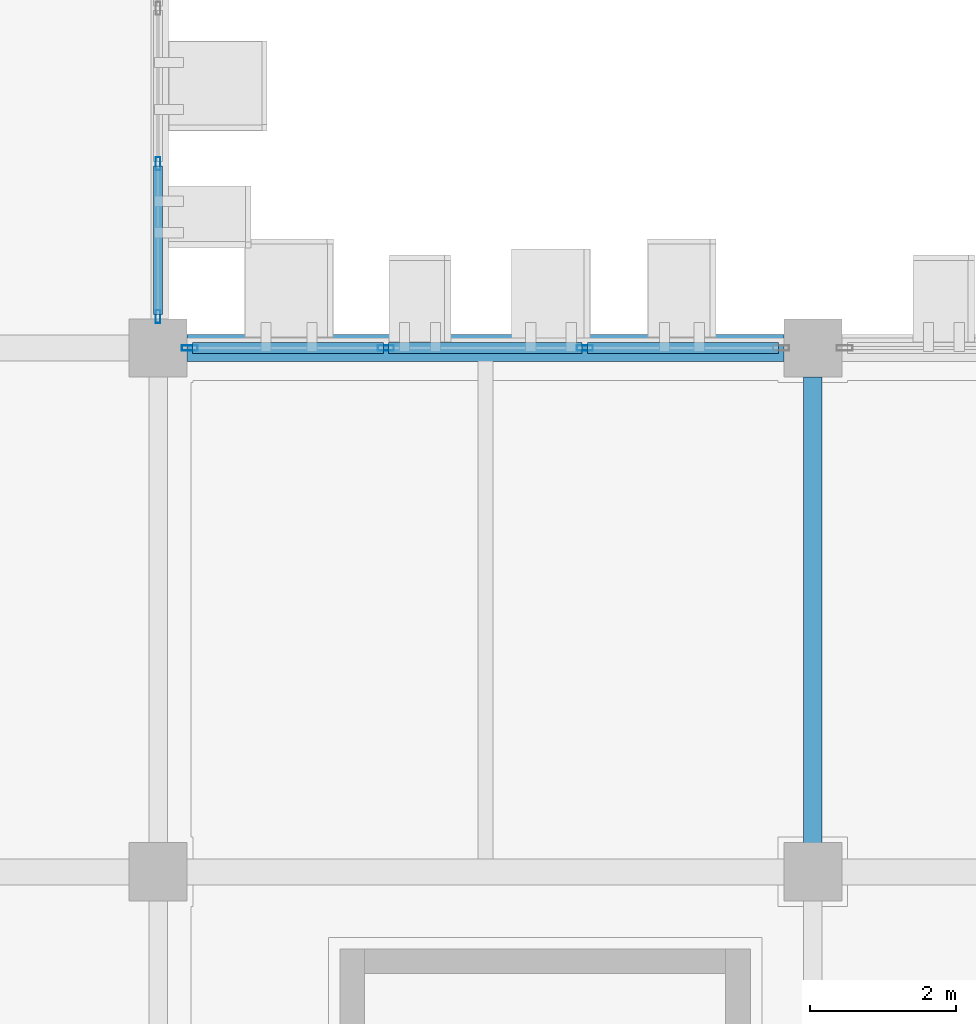
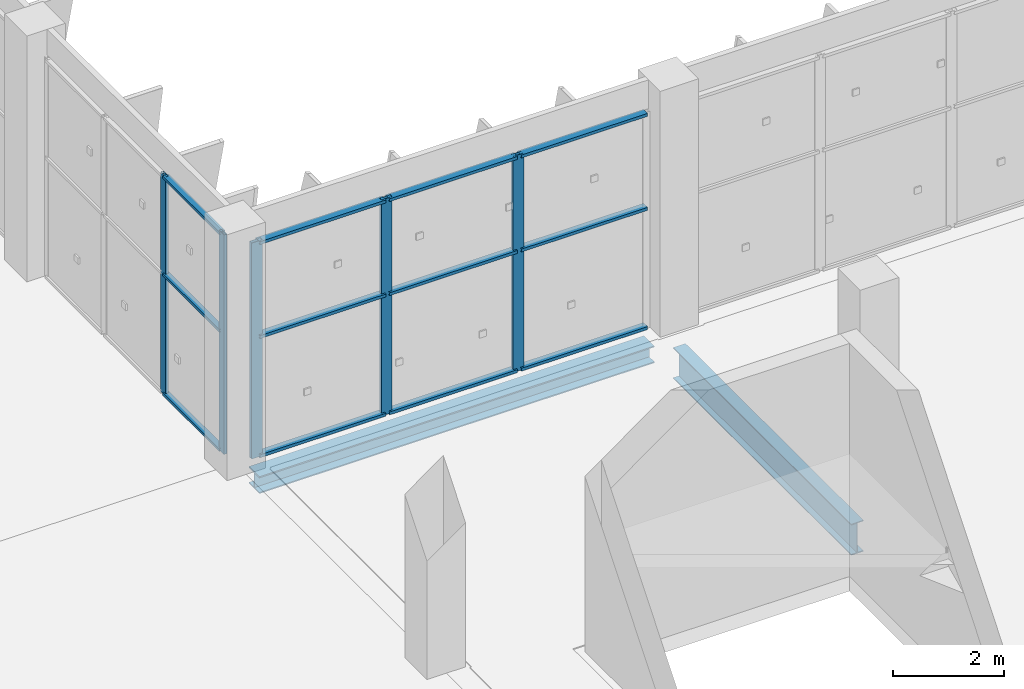
# One storey, part 37 of 137: 17 members, 2 beams, 2 elements without a shape of their own.
"""IFC4 building model written with IfcOpenShell, lengths in metres."""

import ifcopenshell
import ifcopenshell.guid

model = None  # the IFC model being written
_history = None  # IfcOwnerHistory: only IFC2X3 demands one
_inside = {}  # id of a spatial element -> (the spatial element, [elements in it])
_under = {}  # id of a project, library or spatial element -> (it, [spatial elements below it])
_declared = {}  # id of a project -> (the project, [libraries it declares])
_typed = {}  # id of a type object -> (the type object, [elements of that type])
_made_of = {}  # id of a material, layer set ... -> (it, [elements and type objects made of it])


def new_model(schema):
    """Start an empty IFC model of exactly this schema.

    Asked for "IFC4X3", IfcOpenShell would pick the latest addendum, in which some entities
    have other attributes; the version numbers below select the first issue.
    IFC2X3 requires an IfcOwnerHistory on every rooted entity: one is made here for all.
    """
    global model, _history
    if schema == "IFC4X3":
        model = ifcopenshell.file(schema_version=(4, 3, 0, 0))
    else:
        model = ifcopenshell.file(schema=schema)
    _inside.clear()
    _under.clear()
    _declared.clear()
    _typed.clear()
    _made_of.clear()
    _history = None
    if model.schema == "IFC2X3":
        org = make("IfcOrganization", Name="unknown")
        user = make(
            "IfcPersonAndOrganization",
            ThePerson=make("IfcPerson", FamilyName="unknown"),
            TheOrganization=org,
        )
        app = make(
            "IfcApplication",
            ApplicationDeveloper=org,
            Version="unknown",
            ApplicationFullName="unknown",
            ApplicationIdentifier="unknown",
        )
        _history = make(
            "IfcOwnerHistory",
            OwningUser=user,
            OwningApplication=app,
            ChangeAction="ADDED",
            CreationDate=0,
        )
    return model


def make(cls, **values):
    """One entity of the class cls with the attributes given. An attribute that is None is left unset."""
    return model.create_entity(
        cls, **{name: value for name, value in values.items() if value is not None}
    )


def rooted(cls, **values):
    """An entity with a GlobalId (a new one), such as an element, a storey or a relation."""
    return make(cls, GlobalId=ifcopenshell.guid.new(), OwnerHistory=_history, **values)


def si_unit(unit_type, name, prefix=None):
    """IfcSIUnit, for example si_unit("LENGTHUNIT", "METRE", prefix="MILLI")."""
    return make("IfcSIUnit", UnitType=unit_type, Prefix=prefix, Name=name)


def assignment(units):
    """IfcUnitAssignment: the units of a project."""
    return None if units is None else make("IfcUnitAssignment", Units=units)


def point(xyz):
    """IfcCartesianPoint."""
    return None if xyz is None else make("IfcCartesianPoint", Coordinates=xyz)


def direction(xyz):
    """IfcDirection."""
    return None if xyz is None else make("IfcDirection", DirectionRatios=xyz)


def frame(location, z_axis=None, x_axis=None):
    """IfcAxis2Placement3D, a coordinate frame: its origin and axes. An axis left out is left unset."""
    return make(
        "IfcAxis2Placement3D",
        Location=point(location),
        Axis=direction(z_axis),
        RefDirection=direction(x_axis),
    )


def frame_2d(location, x_axis=None):
    """IfcAxis2Placement2D, a coordinate frame in the plane: its origin and x axis."""
    return make(
        "IfcAxis2Placement2D", Location=point(location), RefDirection=direction(x_axis)
    )


def origin():
    """The frame at (0, 0, 0) with its axes left unset."""
    return frame((0.0, 0.0, 0.0))


def origin_2d():
    """The frame at (0, 0) in the plane with its x axis left unset."""
    return frame_2d((0.0, 0.0))


def place(relative_to, where):
    """IfcLocalPlacement: puts the frame where relative to a parent placement (None: the world)."""
    return make(
        "IfcLocalPlacement", PlacementRelTo=relative_to, RelativePlacement=where
    )


def context(
    kind, dimensions, precision=None, world=None, true_north=None, identifier=None
):
    """IfcGeometricRepresentationContext, for example the 3D "Model" context."""
    return make(
        "IfcGeometricRepresentationContext",
        ContextIdentifier=identifier,
        ContextType=kind,
        CoordinateSpaceDimension=dimensions,
        Precision=precision,
        WorldCoordinateSystem=world,
        TrueNorth=true_north,
    )


def subcontext(parent, identifier, kind, view, scale=None):
    """IfcGeometricRepresentationSubContext, for example "Body" below "Model"."""
    return make(
        "IfcGeometricRepresentationSubContext",
        ContextIdentifier=identifier,
        ContextType=kind,
        ParentContext=parent,
        TargetScale=scale,
        TargetView=view,
    )


def project(units=None, contexts=None):
    """IfcProject with its units and contexts."""
    return rooted(
        "IfcProject",
        Name="project",
        RepresentationContexts=contexts,
        UnitsInContext=assignment(units),
    )


def spatial(cls, under=None, at=None, **own):
    """A site, building, storey or space (cls), placed at a placement, below another one or the project."""
    s = rooted(cls, ObjectPlacement=at, **own)
    if under is not None:
        _under.setdefault(under.id(), (under, []))[1].append(s)
    return s


def profile(cls, at=None, kind="AREA", **sizes):
    """A parametric profile (cls). Its sizes go by their IFC names, for example OverallWidth=200.0."""
    return make(cls, ProfileType=kind, Position=at, **sizes)


def hollow_rectangle(**sizes):
    """IfcRectangleHollowProfileDef."""
    return profile("IfcRectangleHollowProfileDef", **sizes)


def i_section(**sizes):
    """IfcIShapeProfileDef."""
    return profile("IfcIShapeProfileDef", **sizes)


def extrude(swept, where, along, depth):
    """IfcExtrudedAreaSolid: the profile swept, set in the frame where, extruded along a direction by depth."""
    return make(
        "IfcExtrudedAreaSolid",
        SweptArea=swept,
        Position=where,
        ExtrudedDirection=direction(along),
        Depth=depth,
    )


def shape(context_of_items, identifier, shape_type, items):
    """IfcShapeRepresentation: the items that make up one representation, for example the "Body"."""
    return make(
        "IfcShapeRepresentation",
        ContextOfItems=context_of_items,
        RepresentationIdentifier=identifier,
        RepresentationType=shape_type,
        Items=items,
    )


def material(Name=None, Category=None):
    """IfcMaterial."""
    return make("IfcMaterial", Name=Name, Category=Category)


def layer(
    of_material, thickness, ventilated=None, Name=None, Category=None, Priority=None
):
    """IfcMaterialLayer: one layer of a wall or slab, of a material (None: an air gap)."""
    return make(
        "IfcMaterialLayer",
        Material=of_material,
        LayerThickness=thickness,
        IsVentilated=ventilated,
        Name=Name,
        Category=Category,
        Priority=Priority,
    )


def layer_set(layers, Name=None):
    """IfcMaterialLayerSet."""
    return make("IfcMaterialLayerSet", MaterialLayers=layers, LayerSetName=Name)


def material_profile(
    of_material, cross_section, Name=None, Category=None, Priority=None
):
    """IfcMaterialProfile: a cross section and its material."""
    return make(
        "IfcMaterialProfile",
        Name=Name,
        Material=of_material,
        Profile=cross_section,
        Priority=Priority,
        Category=Category,
    )


def profile_set(profiles, Name=None, composite=None):
    """IfcMaterialProfileSet."""
    return make(
        "IfcMaterialProfileSet",
        Name=Name,
        MaterialProfiles=profiles,
        CompositeProfile=composite,
    )


def made_of(thing, what):
    """Note that an element or type object is made of a material, layer set ...; save() writes the relation."""
    if what is not None:
        _made_of.setdefault(what.id(), (what, []))[1].append(thing)
    return thing


def type_object(cls, material=None, **own):
    """A type object (cls), such as IfcWallType, which elements share."""
    return made_of(rooted(cls, **own), material)


def element(
    cls,
    number,
    at=None,
    inside=None,
    cuts=None,
    type_object=None,
    material=None,
    context=None,
    identifier="Body",
    shape_type=None,
    held_by="IfcProductDefinitionShape",
    body=None,
    shapes=None,
    **own,
):
    """One element of the class cls, such as IfcWall. Its Tag is "e" and its number.

    at: its placement. inside: the storey or other place that contains it. cuts: it is an
    opening in that element (IfcRelVoidsElement). A single representation is given by context,
    identifier, shape_type and body (its items); several are given by shapes. held_by: the class
    of the entity that holds the representations. save() writes the other relations.
    """
    e = rooted(cls, Tag="e%d" % number, ObjectPlacement=at, **own)
    if body is not None:
        shapes = [shape(context, identifier, shape_type, body)]
    if shapes is not None:
        e.Representation = make(held_by, Representations=shapes)
    if inside is not None:
        _inside.setdefault(inside.id(), (inside, []))[1].append(e)
    if cuts is not None:
        rooted(
            "IfcRelVoidsElement", RelatingBuildingElement=cuts, RelatedOpeningElement=e
        )
    if type_object is not None:
        _typed.setdefault(type_object.id(), (type_object, []))[1].append(e)
    return made_of(e, material)


def aggregate(whole, parts):
    """IfcRelAggregates: a whole, such as a stair, and the parts it consists of."""
    return rooted("IfcRelAggregates", RelatingObject=whole, RelatedObjects=parts)


def save(model, path):
    """Write the relations noted so far, then the file.

    IfcRelAggregates (storeys below a building ...), IfcRelContainedInSpatialStructure (elements
    in a storey), IfcRelDefinesByType, IfcRelAssociatesMaterial and IfcRelDeclares: one each for
    every whole, place, type object, material and project.
    """
    for whole, parts in _under.values():
        aggregate(whole, parts)
    for where, things in _inside.values():
        rooted(
            "IfcRelContainedInSpatialStructure",
            RelatedElements=things,
            RelatingStructure=where,
        )
    for kind, things in _typed.values():
        rooted("IfcRelDefinesByType", RelatedObjects=things, RelatingType=kind)
    for what, things in _made_of.values():
        rooted("IfcRelAssociatesMaterial", RelatedObjects=things, RelatingMaterial=what)
    for by, libraries in _declared.values():
        rooted("IfcRelDeclares", RelatingContext=by, RelatedDefinitions=libraries)
    model.write(path)


model = new_model("IFC4")

# Units and contexts
model_context = context("Model", 3, precision=1e-05, world=origin(), true_north=direction((0.0, 1.0)))
body_context = subcontext(model_context, "Body", "Model", "MODEL_VIEW")
ifc_project = project(units=[si_unit("LENGTHUNIT", "METRE"), si_unit("AREAUNIT", "SQUARE_METRE"), si_unit("VOLUMEUNIT", "CUBIC_METRE"), si_unit("PLANEANGLEUNIT", "RADIAN"), si_unit("MASSUNIT", "GRAM", prefix="KILO")], contexts=[model_context])

# Site, building, storey
site_placement = place(None, origin())
site = spatial("IfcSite", under=ifc_project, at=site_placement, CompositionType="ELEMENT")
building_placement = place(site_placement, origin())
building = spatial("IfcBuilding", under=site, at=building_placement, Name="Celestram Park Convention Centre", CompositionType="ELEMENT")
storey_placement = place(building_placement, origin())
storey = spatial("IfcBuildingStorey", under=building, at=storey_placement, Name="L00", CompositionType="ELEMENT", Elevation=0.0)

# Curtain wall, members
ifc_material_1 = material(Name="Anodised Aluminium Alloy 6063-T6", Category="aluminium")
ifc_layer_1 = layer(ifc_material_1, 0.179931640625)
ifc_layer_set_1 = layer_set([ifc_layer_1], Name="Anodised Aluminium Alloy 6063-T6")
curtain_wall_type_1 = type_object("IfcCurtainWallType", Name="ARC-CW-640X482", PredefinedType="NOTDEFINED", material=ifc_layer_set_1)
curtain_wall_1_placement = place(storey_placement, origin())
curtain_wall_1 = element("IfcCurtainWall", 1, at=curtain_wall_1_placement, inside=storey, type_object=curtain_wall_type_1, Name="Unitised curtain wall CU-L00-017", PredefinedType="NOTDEFINED")
ifc_material_profile_1 = material_profile(ifc_material_1, hollow_rectangle(XDim=0.06494140625, YDim=0.179931640625, WallThickness=0.00390625, at=origin_2d()), Name="ALU65X180X4")
ifc_profile_set_1 = profile_set([ifc_material_profile_1], Name="Anodised Aluminium Alloy 6063-T6")
member_type_1 = type_object("IfcMemberType", Name="ARC-CWM-150", PredefinedType="MULLION", material=ifc_profile_set_1)
member_1_placement = place(storey_placement, frame((144.0, 38.53271484375, 0.0), z_axis=(0.0, 0.0, 1.0), x_axis=(1.0, 0.0, 0.0)))
member_1 = element("IfcMember", 2, at=member_1_placement, type_object=member_type_1, Name="CW-64X48 mullion 3", PredefinedType="MULLION", context=body_context, shape_type="SweptSolid", body=[
    extrude(hollow_rectangle(XDim=0.06494140625, YDim=0.179931640625, WallThickness=0.00390625, at=origin_2d()), origin(), (0.0, 0.0, 1.0), 4.820068359375),
])
member_2_placement = place(storey_placement, frame((144.0, 36.430419921875, 0.0), z_axis=(0.0, 0.0, 1.0), x_axis=(1.0, 0.0, 0.0)))
member_2 = element("IfcMember", 3, at=member_2_placement, type_object=member_type_1, Name="CW-64X48 mullion 4", PredefinedType="MULLION", context=body_context, shape_type="SweptSolid", body=[
    extrude(hollow_rectangle(XDim=0.06494140625, YDim=0.179931640625, WallThickness=0.00390625, at=origin_2d()), origin(), (0.0, 0.0, 1.0), 4.820068359375),
])

ifc_layer_2 = layer(ifc_material_1, 0.179931640625)
ifc_layer_set_2 = layer_set([ifc_layer_2], Name="Anodised Aluminium Alloy 6063-T6")
curtain_wall_type_2 = type_object("IfcCurtainWallType", Name="ARC-CW-820X475", PredefinedType="NOTDEFINED", material=ifc_layer_set_2)
curtain_wall_2_placement = place(storey_placement, origin())
curtain_wall_2 = element("IfcCurtainWall", 4, at=curtain_wall_2_placement, inside=storey, type_object=curtain_wall_type_2, Name="Unitised curtain wall CU-L00-018", PredefinedType="NOTDEFINED")
ifc_material_profile_2 = material_profile(ifc_material_1, hollow_rectangle(XDim=0.074951171875, YDim=0.219970703125, WallThickness=0.00390625, at=origin_2d()), Name="ALU75X220X4")
ifc_profile_set_2 = profile_set([ifc_material_profile_2], Name="Anodised Aluminium Alloy 6063-T6")
member_type_2 = type_object("IfcMemberType", Name="ARC-CWM-180", PredefinedType="MULLION", material=ifc_profile_set_2)
member_3_placement = place(storey_placement, frame((144.435546875, 36.0, 0.0), z_axis=(0.0, 0.0, 1.0), x_axis=(0.0, 1.0, 0.0)))
member_3 = element("IfcMember", 5, at=member_3_placement, type_object=member_type_2, Name="CW-82X47 mullion 1", PredefinedType="MULLION", context=body_context, shape_type="SweptSolid", body=[
    extrude(hollow_rectangle(XDim=0.074951171875, YDim=0.219970703125, WallThickness=0.00390625, at=origin_2d()), origin(), (0.0, 0.0, 1.0), 4.7470703125),
])
member_4_placement = place(storey_placement, frame((147.132568359375, 36.0, 0.0), z_axis=(0.0, 0.0, 1.0), x_axis=(0.0, 1.0, 0.0)))
member_4 = element("IfcMember", 6, at=member_4_placement, type_object=member_type_2, Name="CW-82X47 mullion 2", PredefinedType="MULLION", context=body_context, shape_type="SweptSolid", body=[
    extrude(hollow_rectangle(XDim=0.074951171875, YDim=0.219970703125, WallThickness=0.00390625, at=origin_2d()), origin(), (0.0, 0.0, 1.0), 4.7470703125),
])
member_5_placement = place(storey_placement, frame((149.867431640625, 36.0, 0.0), z_axis=(0.0, 0.0, 1.0), x_axis=(0.0, 1.0, 0.0)))
member_5 = element("IfcMember", 7, at=member_5_placement, type_object=member_type_2, Name="CW-82X47 mullion 3", PredefinedType="MULLION", context=body_context, shape_type="SweptSolid", body=[
    extrude(hollow_rectangle(XDim=0.074951171875, YDim=0.219970703125, WallThickness=0.00390625, at=origin_2d()), origin(), (0.0, 0.0, 1.0), 4.7470703125),
])

# Member
ifc_material_profile_3 = material_profile(ifc_material_1, hollow_rectangle(XDim=0.1201171875, YDim=0.06005859375, WallThickness=0.0029296875, at=origin_2d()), Name="ALU120X60X3")
ifc_profile_set_3 = profile_set([ifc_material_profile_3], Name="Anodised Aluminium Alloy 6063-T6")
member_type_3 = type_object("IfcMemberType", Name="ARC-CWT-120", PredefinedType="USERDEFINED", material=ifc_profile_set_3)
member_6_placement = place(storey_placement, frame((144.0, 38.500244140625, 0.030029296875), z_axis=(0.0, -1.0, 0.0), x_axis=(1.0, 0.0, 0.0)))
member_6 = element("IfcMember", 8, at=member_6_placement, type_object=member_type_3, Name="CW-64X48 transom 3.1", ObjectType="TRANSOM", PredefinedType="USERDEFINED", context=body_context, shape_type="SweptSolid", body=[
    extrude(hollow_rectangle(XDim=0.1201171875, YDim=0.06005859375, WallThickness=0.0029296875, at=origin_2d()), origin(), (0.0, 0.0, 1.0), 2.037353515625),
])

member_7_placement = place(storey_placement, frame((144.0, 38.500244140625, 2.64990234375), z_axis=(0.0, -1.0, 0.0), x_axis=(1.0, 0.0, 0.0)))
member_7 = element("IfcMember", 9, at=member_7_placement, type_object=member_type_3, Name="CW-64X48 transom 3.2", ObjectType="TRANSOM", PredefinedType="USERDEFINED", context=body_context, shape_type="SweptSolid", body=[
    extrude(hollow_rectangle(XDim=0.1201171875, YDim=0.06005859375, WallThickness=0.0029296875, at=origin_2d()), origin(), (0.0, 0.0, 1.0), 2.037353515625),
])

member_8_placement = place(storey_placement, frame((144.0, 38.500244140625, 4.7900390625), z_axis=(0.0, -1.0, 0.0), x_axis=(1.0, 0.0, 0.0)))
member_8 = element("IfcMember", 10, at=member_8_placement, type_object=member_type_3, Name="CW-64X48 transom 3.3", ObjectType="TRANSOM", PredefinedType="USERDEFINED", context=body_context, shape_type="SweptSolid", body=[
    extrude(hollow_rectangle(XDim=0.1201171875, YDim=0.06005859375, WallThickness=0.0029296875, at=origin_2d()), origin(), (0.0, 0.0, 1.0), 2.037353515625),
])

aggregate(curtain_wall_1, [member_1, member_2, member_6, member_7, member_8])

ifc_material_profile_4 = material_profile(ifc_material_1, hollow_rectangle(XDim=0.14990234375, YDim=0.06494140625, WallThickness=0.0029296875, at=origin_2d()), Name="ALU150X65X3")
ifc_profile_set_4 = profile_set([ifc_material_profile_4], Name="Anodised Aluminium Alloy 6063-T6")
member_type_4 = type_object("IfcMemberType", Name="ARC-CWT-150", PredefinedType="USERDEFINED", material=ifc_profile_set_4)
member_9_placement = place(storey_placement, frame((144.472900390625, 36.0, 0.032470703125), z_axis=(1.0, 0.0, 0.0), x_axis=(0.0, 1.0, 0.0)))
member_9 = element("IfcMember", 11, at=member_9_placement, type_object=member_type_4, Name="CW-82X47 transom 1.1", ObjectType="TRANSOM", PredefinedType="USERDEFINED", context=body_context, shape_type="SweptSolid", body=[
    extrude(hollow_rectangle(XDim=0.14990234375, YDim=0.06494140625, WallThickness=0.0029296875, at=origin_2d()), origin(), (0.0, 0.0, 1.0), 2.622314453125),
])

member_10_placement = place(storey_placement, frame((144.472900390625, 36.0, 2.64990234375), z_axis=(1.0, 0.0, 0.0), x_axis=(0.0, 1.0, 0.0)))
member_10 = element("IfcMember", 12, at=member_10_placement, type_object=member_type_4, Name="CW-82X47 transom 1.2", ObjectType="TRANSOM", PredefinedType="USERDEFINED", context=body_context, shape_type="SweptSolid", body=[
    extrude(hollow_rectangle(XDim=0.14990234375, YDim=0.06494140625, WallThickness=0.0029296875, at=origin_2d()), origin(), (0.0, 0.0, 1.0), 2.622314453125),
])

member_11_placement = place(storey_placement, frame((144.472900390625, 36.0, 4.714599609375), z_axis=(1.0, 0.0, 0.0), x_axis=(0.0, 1.0, 0.0)))
member_11 = element("IfcMember", 13, at=member_11_placement, type_object=member_type_4, Name="CW-82X47 transom 1.3", ObjectType="TRANSOM", PredefinedType="USERDEFINED", context=body_context, shape_type="SweptSolid", body=[
    extrude(hollow_rectangle(XDim=0.14990234375, YDim=0.06494140625, WallThickness=0.0029296875, at=origin_2d()), origin(), (0.0, 0.0, 1.0), 2.622314453125),
])

member_12_placement = place(storey_placement, frame((147.170166015625, 36.0, 0.032470703125), z_axis=(1.0, 0.0, 0.0), x_axis=(0.0, 1.0, 0.0)))
member_12 = element("IfcMember", 14, at=member_12_placement, type_object=member_type_4, Name="CW-82X47 transom 2.1", ObjectType="TRANSOM", PredefinedType="USERDEFINED", context=body_context, shape_type="SweptSolid", body=[
    extrude(hollow_rectangle(XDim=0.14990234375, YDim=0.06494140625, WallThickness=0.0029296875, at=origin_2d()), origin(), (0.0, 0.0, 1.0), 2.65966796875),
])

member_13_placement = place(storey_placement, frame((147.170166015625, 36.0, 2.64990234375), z_axis=(1.0, 0.0, 0.0), x_axis=(0.0, 1.0, 0.0)))
member_13 = element("IfcMember", 15, at=member_13_placement, type_object=member_type_4, Name="CW-82X47 transom 2.2", ObjectType="TRANSOM", PredefinedType="USERDEFINED", context=body_context, shape_type="SweptSolid", body=[
    extrude(hollow_rectangle(XDim=0.14990234375, YDim=0.06494140625, WallThickness=0.0029296875, at=origin_2d()), origin(), (0.0, 0.0, 1.0), 2.65966796875),
])

member_14_placement = place(storey_placement, frame((147.170166015625, 36.0, 4.714599609375), z_axis=(1.0, 0.0, 0.0), x_axis=(0.0, 1.0, 0.0)))
member_14 = element("IfcMember", 16, at=member_14_placement, type_object=member_type_4, Name="CW-82X47 transom 2.3", ObjectType="TRANSOM", PredefinedType="USERDEFINED", context=body_context, shape_type="SweptSolid", body=[
    extrude(hollow_rectangle(XDim=0.14990234375, YDim=0.06494140625, WallThickness=0.0029296875, at=origin_2d()), origin(), (0.0, 0.0, 1.0), 2.65966796875),
])

member_15_placement = place(storey_placement, frame((149.90478515625, 36.0, 0.032470703125), z_axis=(1.0, 0.0, 0.0), x_axis=(0.0, 1.0, 0.0)))
member_15 = element("IfcMember", 17, at=member_15_placement, type_object=member_type_4, Name="CW-82X47 transom 3.1", ObjectType="TRANSOM", PredefinedType="USERDEFINED", context=body_context, shape_type="SweptSolid", body=[
    extrude(hollow_rectangle(XDim=0.14990234375, YDim=0.06494140625, WallThickness=0.0029296875, at=origin_2d()), origin(), (0.0, 0.0, 1.0), 2.622314453125),
])

member_16_placement = place(storey_placement, frame((149.90478515625, 36.0, 2.64990234375), z_axis=(1.0, 0.0, 0.0), x_axis=(0.0, 1.0, 0.0)))
member_16 = element("IfcMember", 18, at=member_16_placement, type_object=member_type_4, Name="CW-82X47 transom 3.2", ObjectType="TRANSOM", PredefinedType="USERDEFINED", context=body_context, shape_type="SweptSolid", body=[
    extrude(hollow_rectangle(XDim=0.14990234375, YDim=0.06494140625, WallThickness=0.0029296875, at=origin_2d()), origin(), (0.0, 0.0, 1.0), 2.622314453125),
])

member_17_placement = place(storey_placement, frame((149.90478515625, 36.0, 4.714599609375), z_axis=(1.0, 0.0, 0.0), x_axis=(0.0, 1.0, 0.0)))
member_17 = element("IfcMember", 19, at=member_17_placement, type_object=member_type_4, Name="CW-82X47 transom 3.3", ObjectType="TRANSOM", PredefinedType="USERDEFINED", context=body_context, shape_type="SweptSolid", body=[
    extrude(hollow_rectangle(XDim=0.14990234375, YDim=0.06494140625, WallThickness=0.0029296875, at=origin_2d()), origin(), (0.0, 0.0, 1.0), 2.622314453125),
])

aggregate(curtain_wall_2, [member_3, member_4, member_5, member_9, member_10, member_11, member_12, member_13, member_14, member_15, member_16, member_17])

# Beams
ifc_material_2 = material(Name="Steel ASTM A992 Grade 50", Category="steel")
ifc_material_profile_5 = material_profile(ifc_material_2, i_section(OverallWidth=0.25390625, OverallDepth=0.68310546875, WebThickness=0.012451171875, FlangeThickness=0.01904296875, at=origin_2d()), Name="W27X94")
ifc_profile_set_5 = profile_set([ifc_material_profile_5], Name="Steel ASTM A992 Grade 50")
beam_type_1 = type_object("IfcBeamType", Name="STR-BM-W27X94", PredefinedType="BEAM", material=ifc_profile_set_5)
beam_1_placement = place(storey_placement, frame((153.0, 29.197998046875, -0.66162109375), z_axis=(0.0, 1.0, 0.0), x_axis=(-1.0, 0.0, 0.0)))
element("IfcBeam", 20, at=beam_1_placement, inside=storey, type_object=beam_type_1, Name="Primary Y-girder BG-L00-0700", PredefinedType="BEAM", context=body_context, shape_type="SweptSolid", body=[
    extrude(i_section(OverallWidth=0.25390625, OverallDepth=0.68310546875, WebThickness=0.012451171875, FlangeThickness=0.01904296875, at=origin_2d()), origin(), (0.0, 0.0, 1.0), 6.404052734375),
])
ifc_material_profile_6 = material_profile(ifc_material_2, i_section(OverallWidth=0.373046875, OverallDepth=0.373046875, WebThickness=0.016357421875, FlangeThickness=0.026123046875, at=origin_2d()), Name="W14X132")
ifc_profile_set_6 = profile_set([ifc_material_profile_6], Name="Steel ASTM A992 Grade 50")
beam_type_2 = type_object("IfcBeamType", Name="STR-SPN-W14X132", PredefinedType="SPANDREL", material=ifc_profile_set_6)
beam_2_placement = place(storey_placement, frame((144.39794921875, 36.0, -0.506591796875), z_axis=(1.0, 0.0, 0.0), x_axis=(0.0, 1.0, 0.0)))
element("IfcBeam", 21, at=beam_2_placement, inside=storey, type_object=beam_type_2, Name="Primary X-girder BG-L00-0669", PredefinedType="SPANDREL", context=body_context, shape_type="SweptSolid", body=[
    extrude(i_section(OverallWidth=0.373046875, OverallDepth=0.373046875, WebThickness=0.016357421875, FlangeThickness=0.026123046875, at=origin_2d()), origin(), (0.0, 0.0, 1.0), 8.2041015625),
])

save(model, "model.ifc")
